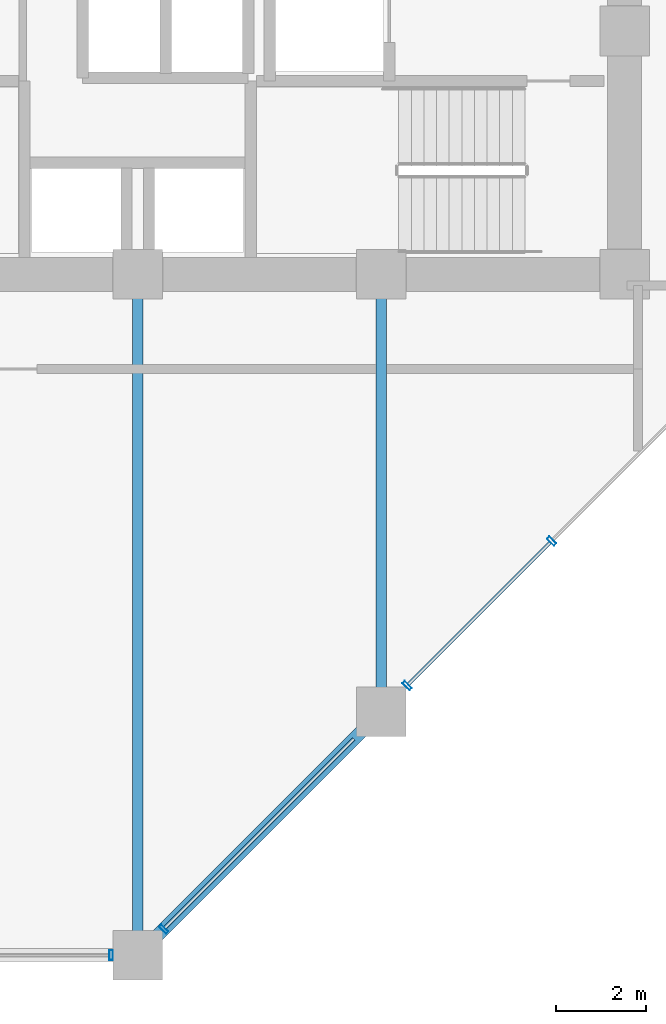
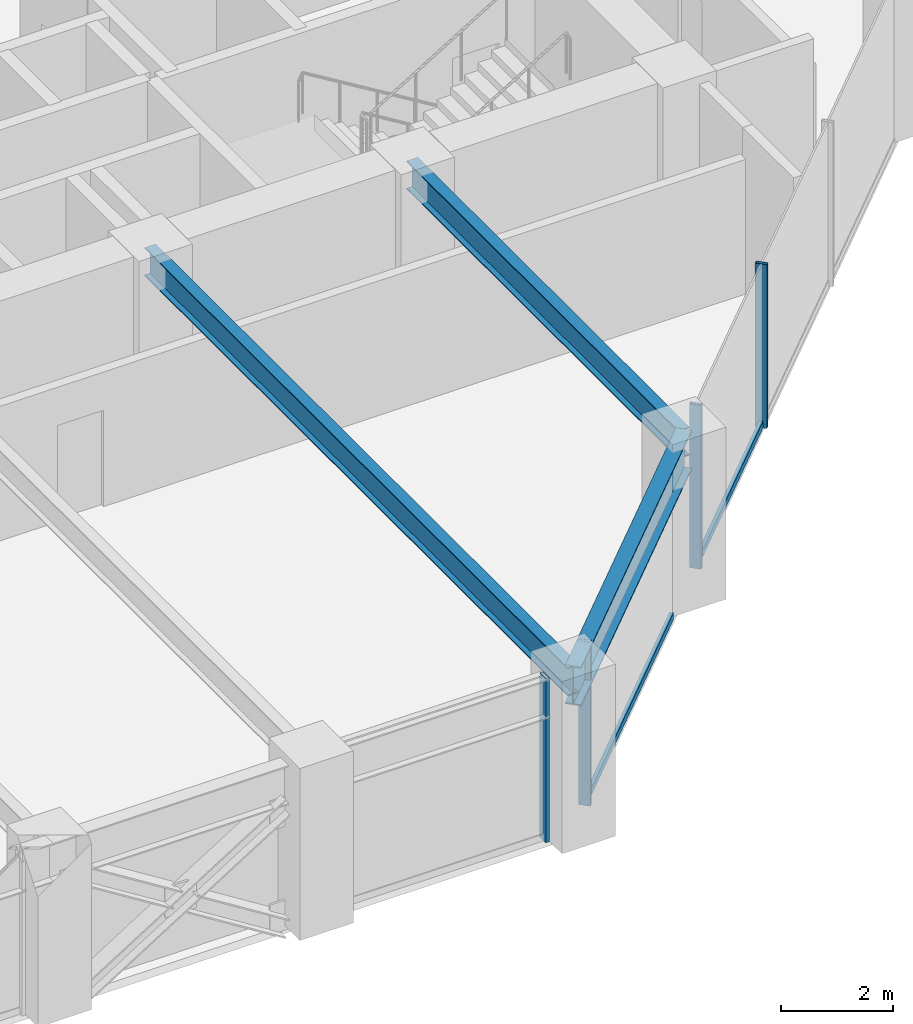
# One storey, part 7 of 26: 6 members, 3 beams, 2 elements without a shape of their own.
"""IFC4 building model written with IfcOpenShell, lengths in metres."""

import ifcopenshell
import ifcopenshell.guid

model = None  # the IFC model being written
_history = None  # IfcOwnerHistory: only IFC2X3 demands one
_inside = {}  # id of a spatial element -> (the spatial element, [elements in it])
_under = {}  # id of a project, library or spatial element -> (it, [spatial elements below it])
_declared = {}  # id of a project -> (the project, [libraries it declares])
_typed = {}  # id of a type object -> (the type object, [elements of that type])
_made_of = {}  # id of a material, layer set ... -> (it, [elements and type objects made of it])


def new_model(schema):
    """Start an empty IFC model of exactly this schema.

    Asked for "IFC4X3", IfcOpenShell would pick the latest addendum, in which some entities
    have other attributes; the version numbers below select the first issue.
    IFC2X3 requires an IfcOwnerHistory on every rooted entity: one is made here for all.
    """
    global model, _history
    if schema == "IFC4X3":
        model = ifcopenshell.file(schema_version=(4, 3, 0, 0))
    else:
        model = ifcopenshell.file(schema=schema)
    _inside.clear()
    _under.clear()
    _declared.clear()
    _typed.clear()
    _made_of.clear()
    _history = None
    if model.schema == "IFC2X3":
        org = make("IfcOrganization", Name="unknown")
        user = make(
            "IfcPersonAndOrganization",
            ThePerson=make("IfcPerson", FamilyName="unknown"),
            TheOrganization=org,
        )
        app = make(
            "IfcApplication",
            ApplicationDeveloper=org,
            Version="unknown",
            ApplicationFullName="unknown",
            ApplicationIdentifier="unknown",
        )
        _history = make(
            "IfcOwnerHistory",
            OwningUser=user,
            OwningApplication=app,
            ChangeAction="ADDED",
            CreationDate=0,
        )
    return model


def make(cls, **values):
    """One entity of the class cls with the attributes given. An attribute that is None is left unset."""
    return model.create_entity(
        cls, **{name: value for name, value in values.items() if value is not None}
    )


def rooted(cls, **values):
    """An entity with a GlobalId (a new one), such as an element, a storey or a relation."""
    return make(cls, GlobalId=ifcopenshell.guid.new(), OwnerHistory=_history, **values)


def si_unit(unit_type, name, prefix=None):
    """IfcSIUnit, for example si_unit("LENGTHUNIT", "METRE", prefix="MILLI")."""
    return make("IfcSIUnit", UnitType=unit_type, Prefix=prefix, Name=name)


def assignment(units):
    """IfcUnitAssignment: the units of a project."""
    return None if units is None else make("IfcUnitAssignment", Units=units)


def point(xyz):
    """IfcCartesianPoint."""
    return None if xyz is None else make("IfcCartesianPoint", Coordinates=xyz)


def direction(xyz):
    """IfcDirection."""
    return None if xyz is None else make("IfcDirection", DirectionRatios=xyz)


def frame(location, z_axis=None, x_axis=None):
    """IfcAxis2Placement3D, a coordinate frame: its origin and axes. An axis left out is left unset."""
    return make(
        "IfcAxis2Placement3D",
        Location=point(location),
        Axis=direction(z_axis),
        RefDirection=direction(x_axis),
    )


def frame_2d(location, x_axis=None):
    """IfcAxis2Placement2D, a coordinate frame in the plane: its origin and x axis."""
    return make(
        "IfcAxis2Placement2D", Location=point(location), RefDirection=direction(x_axis)
    )


def origin():
    """The frame at (0, 0, 0) with its axes left unset."""
    return frame((0.0, 0.0, 0.0))


def origin_2d():
    """The frame at (0, 0) in the plane with its x axis left unset."""
    return frame_2d((0.0, 0.0))


def place(relative_to, where):
    """IfcLocalPlacement: puts the frame where relative to a parent placement (None: the world)."""
    return make(
        "IfcLocalPlacement", PlacementRelTo=relative_to, RelativePlacement=where
    )


def context(
    kind, dimensions, precision=None, world=None, true_north=None, identifier=None
):
    """IfcGeometricRepresentationContext, for example the 3D "Model" context."""
    return make(
        "IfcGeometricRepresentationContext",
        ContextIdentifier=identifier,
        ContextType=kind,
        CoordinateSpaceDimension=dimensions,
        Precision=precision,
        WorldCoordinateSystem=world,
        TrueNorth=true_north,
    )


def subcontext(parent, identifier, kind, view, scale=None):
    """IfcGeometricRepresentationSubContext, for example "Body" below "Model"."""
    return make(
        "IfcGeometricRepresentationSubContext",
        ContextIdentifier=identifier,
        ContextType=kind,
        ParentContext=parent,
        TargetScale=scale,
        TargetView=view,
    )


def project(units=None, contexts=None):
    """IfcProject with its units and contexts."""
    return rooted(
        "IfcProject",
        Name="project",
        RepresentationContexts=contexts,
        UnitsInContext=assignment(units),
    )


def spatial(cls, under=None, at=None, **own):
    """A site, building, storey or space (cls), placed at a placement, below another one or the project."""
    s = rooted(cls, ObjectPlacement=at, **own)
    if under is not None:
        _under.setdefault(under.id(), (under, []))[1].append(s)
    return s


def profile(cls, at=None, kind="AREA", **sizes):
    """A parametric profile (cls). Its sizes go by their IFC names, for example OverallWidth=200.0."""
    return make(cls, ProfileType=kind, Position=at, **sizes)


def hollow_rectangle(**sizes):
    """IfcRectangleHollowProfileDef."""
    return profile("IfcRectangleHollowProfileDef", **sizes)


def i_section(**sizes):
    """IfcIShapeProfileDef."""
    return profile("IfcIShapeProfileDef", **sizes)


def extrude(swept, where, along, depth):
    """IfcExtrudedAreaSolid: the profile swept, set in the frame where, extruded along a direction by depth."""
    return make(
        "IfcExtrudedAreaSolid",
        SweptArea=swept,
        Position=where,
        ExtrudedDirection=direction(along),
        Depth=depth,
    )


def shape(context_of_items, identifier, shape_type, items):
    """IfcShapeRepresentation: the items that make up one representation, for example the "Body"."""
    return make(
        "IfcShapeRepresentation",
        ContextOfItems=context_of_items,
        RepresentationIdentifier=identifier,
        RepresentationType=shape_type,
        Items=items,
    )


def material(Name=None, Category=None):
    """IfcMaterial."""
    return make("IfcMaterial", Name=Name, Category=Category)


def layer(
    of_material, thickness, ventilated=None, Name=None, Category=None, Priority=None
):
    """IfcMaterialLayer: one layer of a wall or slab, of a material (None: an air gap)."""
    return make(
        "IfcMaterialLayer",
        Material=of_material,
        LayerThickness=thickness,
        IsVentilated=ventilated,
        Name=Name,
        Category=Category,
        Priority=Priority,
    )


def layer_set(layers, Name=None):
    """IfcMaterialLayerSet."""
    return make("IfcMaterialLayerSet", MaterialLayers=layers, LayerSetName=Name)


def material_profile(
    of_material, cross_section, Name=None, Category=None, Priority=None
):
    """IfcMaterialProfile: a cross section and its material."""
    return make(
        "IfcMaterialProfile",
        Name=Name,
        Material=of_material,
        Profile=cross_section,
        Priority=Priority,
        Category=Category,
    )


def profile_set(profiles, Name=None, composite=None):
    """IfcMaterialProfileSet."""
    return make(
        "IfcMaterialProfileSet",
        Name=Name,
        MaterialProfiles=profiles,
        CompositeProfile=composite,
    )


def made_of(thing, what):
    """Note that an element or type object is made of a material, layer set ...; save() writes the relation."""
    if what is not None:
        _made_of.setdefault(what.id(), (what, []))[1].append(thing)
    return thing


def type_object(cls, material=None, **own):
    """A type object (cls), such as IfcWallType, which elements share."""
    return made_of(rooted(cls, **own), material)


def element(
    cls,
    number,
    at=None,
    inside=None,
    cuts=None,
    type_object=None,
    material=None,
    context=None,
    identifier="Body",
    shape_type=None,
    held_by="IfcProductDefinitionShape",
    body=None,
    shapes=None,
    **own,
):
    """One element of the class cls, such as IfcWall. Its Tag is "e" and its number.

    at: its placement. inside: the storey or other place that contains it. cuts: it is an
    opening in that element (IfcRelVoidsElement). A single representation is given by context,
    identifier, shape_type and body (its items); several are given by shapes. held_by: the class
    of the entity that holds the representations. save() writes the other relations.
    """
    e = rooted(cls, Tag="e%d" % number, ObjectPlacement=at, **own)
    if body is not None:
        shapes = [shape(context, identifier, shape_type, body)]
    if shapes is not None:
        e.Representation = make(held_by, Representations=shapes)
    if inside is not None:
        _inside.setdefault(inside.id(), (inside, []))[1].append(e)
    if cuts is not None:
        rooted(
            "IfcRelVoidsElement", RelatingBuildingElement=cuts, RelatedOpeningElement=e
        )
    if type_object is not None:
        _typed.setdefault(type_object.id(), (type_object, []))[1].append(e)
    return made_of(e, material)


def aggregate(whole, parts):
    """IfcRelAggregates: a whole, such as a stair, and the parts it consists of."""
    return rooted("IfcRelAggregates", RelatingObject=whole, RelatedObjects=parts)


def save(model, path):
    """Write the relations noted so far, then the file.

    IfcRelAggregates (storeys below a building ...), IfcRelContainedInSpatialStructure (elements
    in a storey), IfcRelDefinesByType, IfcRelAssociatesMaterial and IfcRelDeclares: one each for
    every whole, place, type object, material and project.
    """
    for whole, parts in _under.values():
        aggregate(whole, parts)
    for where, things in _inside.values():
        rooted(
            "IfcRelContainedInSpatialStructure",
            RelatedElements=things,
            RelatingStructure=where,
        )
    for kind, things in _typed.values():
        rooted("IfcRelDefinesByType", RelatedObjects=things, RelatingType=kind)
    for what, things in _made_of.values():
        rooted("IfcRelAssociatesMaterial", RelatedObjects=things, RelatingMaterial=what)
    for by, libraries in _declared.values():
        rooted("IfcRelDeclares", RelatingContext=by, RelatedDefinitions=libraries)
    model.write(path)


model = new_model("IFC4")

# Units and contexts
model_context = context("Model", 3, precision=1e-05, world=origin(), true_north=direction((0.0, 1.0)))
body_context = subcontext(model_context, "Body", "Model", "MODEL_VIEW")
ifc_project = project(units=[si_unit("LENGTHUNIT", "METRE"), si_unit("AREAUNIT", "SQUARE_METRE"), si_unit("VOLUMEUNIT", "CUBIC_METRE"), si_unit("PLANEANGLEUNIT", "RADIAN"), si_unit("MASSUNIT", "GRAM", prefix="KILO")], contexts=[model_context])

# Site, building, storey
site_placement = place(None, origin())
site = spatial("IfcSite", under=ifc_project, at=site_placement, CompositionType="ELEMENT")
building_placement = place(site_placement, origin())
building = spatial("IfcBuilding", under=site, at=building_placement, Name="Surkhivell Harbour Commons", CompositionType="ELEMENT")
storey_placement = place(building_placement, frame((0.0, 0.0, 102.0)))
storey = spatial("IfcBuildingStorey", under=building, at=storey_placement, Name="L26", CompositionType="ELEMENT", Elevation=102.0)

# Beams
ifc_material_1 = material(Name="Steel S355", Category="steel")
ifc_material_profile_1 = material_profile(ifc_material_1, i_section(OverallWidth=0.22998046875, OverallDepth=0.616943359375, WebThickness=0.01318359375, FlangeThickness=0.022216796875, at=origin_2d()), Name="UB610x229x140")
ifc_profile_set_1 = profile_set([ifc_material_profile_1], Name="Steel S355")
beam_type_1 = type_object("IfcBeamType", Name="BM-GRD-610B", PredefinedType="BEAM", material=ifc_profile_set_1)
beam_1_placement = place(storey_placement, frame((0.0, -25.89990234375, 3.261474609375), z_axis=(0.0, 1.0, 0.0), x_axis=(-1.0, 0.0, 0.0)))
element("IfcBeam", 1, at=beam_1_placement, inside=storey, type_object=beam_type_1, Name="L26 Floor Girder (0.0,-25.9)", PredefinedType="BEAM", context=body_context, shape_type="SweptSolid", body=[
    extrude(i_section(OverallWidth=0.22998046875, OverallDepth=0.616943359375, WebThickness=0.01318359375, FlangeThickness=0.022216796875, at=origin_2d()), origin(), (0.0, 0.0, 1.0), 15.099853515625),
])
beam_2_placement = place(storey_placement, frame((5.39990234375, -20.5, 3.261474609375), z_axis=(0.0, 1.0, 0.0), x_axis=(-1.0, 0.0, 0.0)))
element("IfcBeam", 2, at=beam_2_placement, inside=storey, type_object=beam_type_1, Name="L26 Floor Girder (5.4,-20.5)", PredefinedType="BEAM", context=body_context, shape_type="SweptSolid", body=[
    extrude(i_section(OverallWidth=0.22998046875, OverallDepth=0.616943359375, WebThickness=0.01318359375, FlangeThickness=0.022216796875, at=origin_2d()), origin(), (0.0, 0.0, 1.0), 9.699951171875),
])
ifc_material_2 = material(Name="Steel S460", Category="steel")
ifc_material_profile_2 = material_profile(ifc_material_2, i_section(OverallWidth=0.2939453125, OverallDepth=0.85107421875, WebThickness=0.01611328125, FlangeThickness=0.02685546875, at=origin_2d()), Name="UB838x292x226")
ifc_profile_set_2 = profile_set([ifc_material_profile_2], Name="Steel S460")
beam_type_2 = type_object("IfcBeamType", Name="BM-SPN-838", PredefinedType="SPANDREL", material=ifc_profile_set_2)
beam_3_placement = place(storey_placement, frame((0.0, -25.89990234375, 3.14453125), z_axis=(0.707106781187, 0.707106781187, 0.0), x_axis=(-0.707106781187, 0.707106781187, 0.0)))
element("IfcBeam", 3, at=beam_3_placement, inside=storey, type_object=beam_type_2, Name="L26 Tube Spandrel (-0.0,-25.9)", PredefinedType="SPANDREL", context=body_context, shape_type="SweptSolid", body=[
    extrude(i_section(OverallWidth=0.2939453125, OverallDepth=0.85107421875, WebThickness=0.01611328125, FlangeThickness=0.02685546875, at=origin_2d()), origin(), (0.0, 0.0, 1.0), 7.63671875),
])

# Curtain wall, member
ifc_material_3 = material(Name="Anodised pale-metal aluminium and insulated glazing", Category="aluminium")
ifc_layer = layer(ifc_material_3, 0.205078125)
ifc_layer_set = layer_set([ifc_layer], Name="Anodised pale-metal aluminium and insulated glazing")
curtain_wall_type = type_object("IfcCurtainWallType", Name="CW-SYS-Z2", PredefinedType="NOTDEFINED", material=ifc_layer_set)
curtain_wall_1_placement = place(storey_placement, origin())
curtain_wall_1 = element("IfcCurtainWall", 4, at=curtain_wall_1_placement, inside=storey, type_object=curtain_wall_type, Name="L26 Curtain Wall CW-L26-E00S2", PredefinedType="NOTDEFINED")
ifc_material_4 = material(Name="Anodised pale-metal aluminium alloy 6063-T6", Category="aluminium")
ifc_material_profile_3 = material_profile(ifc_material_4, hollow_rectangle(XDim=0.074951171875, YDim=0.219970703125, WallThickness=0.00390625, at=origin_2d()), Name="ALU-MULL-75x220")
ifc_profile_set_3 = profile_set([ifc_material_profile_3], Name="Anodised pale-metal aluminium alloy 6063-T6")
member_type_1 = type_object("IfcMemberType", Name="CWM-220", PredefinedType="MULLION", material=ifc_profile_set_3)
member_1_placement = place(storey_placement, frame((-0.589599609375, -25.89990234375, 0.0), z_axis=(0.0, 0.0, 1.0), x_axis=(1.0, 0.0, 0.0)))
member_1 = element("IfcMember", 5, at=member_1_placement, type_object=member_type_1, Name="CW-Z2 mullion 2", PredefinedType="MULLION", context=body_context, shape_type="SweptSolid", body=[
    extrude(hollow_rectangle(XDim=0.074951171875, YDim=0.219970703125, WallThickness=0.00390625, at=origin_2d()), origin(), (0.0, 0.0, 1.0), 3.570068359375),
])
aggregate(curtain_wall_1, [member_1])

# Curtain wall, members
curtain_wall_2_placement = place(storey_placement, origin())
curtain_wall_2 = element("IfcCurtainWall", 6, at=curtain_wall_2_placement, inside=storey, type_object=curtain_wall_type, Name="L26 Curtain Wall CW-L26-E01", PredefinedType="NOTDEFINED")
member_2_placement = place(storey_placement, frame((0.578125, -25.32177734375, 0.0), z_axis=(0.0, 0.0, 1.0), x_axis=(0.707106781187, 0.707106781187, 0.0)))
member_2 = element("IfcMember", 7, at=member_2_placement, type_object=member_type_1, Name="CW-Z2 mullion 1", PredefinedType="MULLION", context=body_context, shape_type="SweptSolid", body=[
    extrude(hollow_rectangle(XDim=0.074951171875, YDim=0.219970703125, WallThickness=0.00390625, at=origin_2d()), origin(), (0.0, 0.0, 1.0), 3.570068359375),
])
member_3_placement = place(storey_placement, frame((5.978271484375, -19.921875, 0.0), z_axis=(0.0, 0.0, 1.0), x_axis=(0.707106781187, 0.707106781187, 0.0)))
member_3 = element("IfcMember", 8, at=member_3_placement, type_object=member_type_1, Name="CW-Z2 mullion 2", PredefinedType="MULLION", context=body_context, shape_type="SweptSolid", body=[
    extrude(hollow_rectangle(XDim=0.074951171875, YDim=0.219970703125, WallThickness=0.00390625, at=origin_2d()), origin(), (0.0, 0.0, 1.0), 3.570068359375),
])
member_4_placement = place(storey_placement, frame((9.183837890625, -16.716064453125, 0.0), z_axis=(0.0, 0.0, 1.0), x_axis=(0.707106781187, 0.707106781187, 0.0)))
member_4 = element("IfcMember", 9, at=member_4_placement, type_object=member_type_1, Name="CW-Z2 mullion 3", PredefinedType="MULLION", context=body_context, shape_type="SweptSolid", body=[
    extrude(hollow_rectangle(XDim=0.074951171875, YDim=0.219970703125, WallThickness=0.00390625, at=origin_2d()), origin(), (0.0, 0.0, 1.0), 3.570068359375),
])
ifc_material_profile_4 = material_profile(ifc_material_4, hollow_rectangle(XDim=0.074951171875, YDim=0.14990234375, WallThickness=0.00341796875, at=origin_2d()), Name="ALU-TRAN-75x150")
ifc_profile_set_4 = profile_set([ifc_material_profile_4], Name="Anodised pale-metal aluminium alloy 6063-T6")
member_type_2 = type_object("IfcMemberType", Name="CWT-150", PredefinedType="USERDEFINED", material=ifc_profile_set_4)
member_5_placement = place(storey_placement, frame((0.604736328125, -25.295166015625, 0.074951171875), z_axis=(0.707106781187, 0.707106781187, 0.0), x_axis=(-0.707106781187, 0.707106781187, 0.0)))
member_5 = element("IfcMember", 10, at=member_5_placement, type_object=member_type_2, Name="CW-Z2 transom 1.1", ObjectType="TRANSOM", PredefinedType="USERDEFINED", context=body_context, shape_type="SweptSolid", body=[
    extrude(hollow_rectangle(XDim=0.074951171875, YDim=0.14990234375, WallThickness=0.00341796875, at=origin_2d()), origin(), (0.0, 0.0, 1.0), 5.92626953125),
])
member_6_placement = place(storey_placement, frame((6.004638671875, -19.895263671875, 0.074951171875), z_axis=(0.707134159244, 0.707079402069, 0.0), x_axis=(-0.707079402069, 0.707134159244, 0.0)))
member_6 = element("IfcMember", 11, at=member_6_placement, type_object=member_type_2, Name="CW-Z2 transom 2.1", ObjectType="TRANSOM", PredefinedType="USERDEFINED", context=body_context, shape_type="SweptSolid", body=[
    extrude(hollow_rectangle(XDim=0.074951171875, YDim=0.14990234375, WallThickness=0.00341796875, at=origin_2d()), origin(), (0.0, 0.0, 1.0), 4.45849609375),
])
aggregate(curtain_wall_2, [member_2, member_5, member_3, member_4, member_6])

save(model, "model.ifc")
